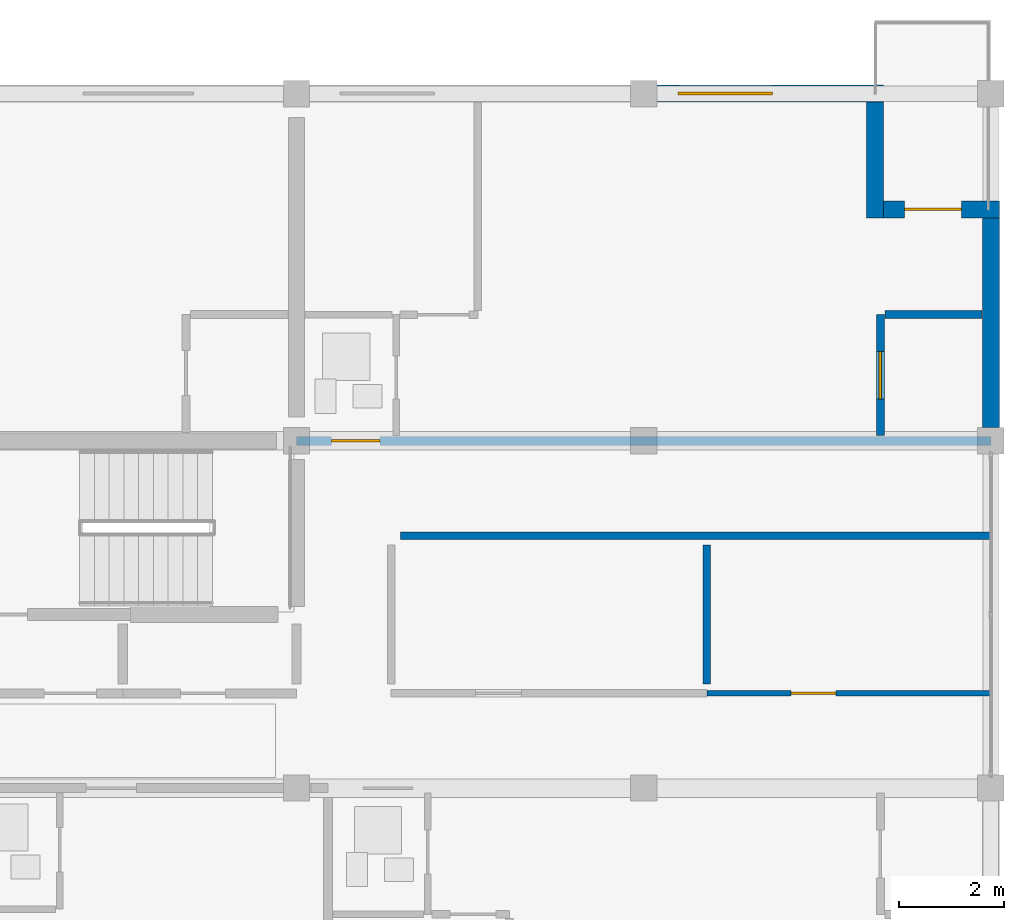
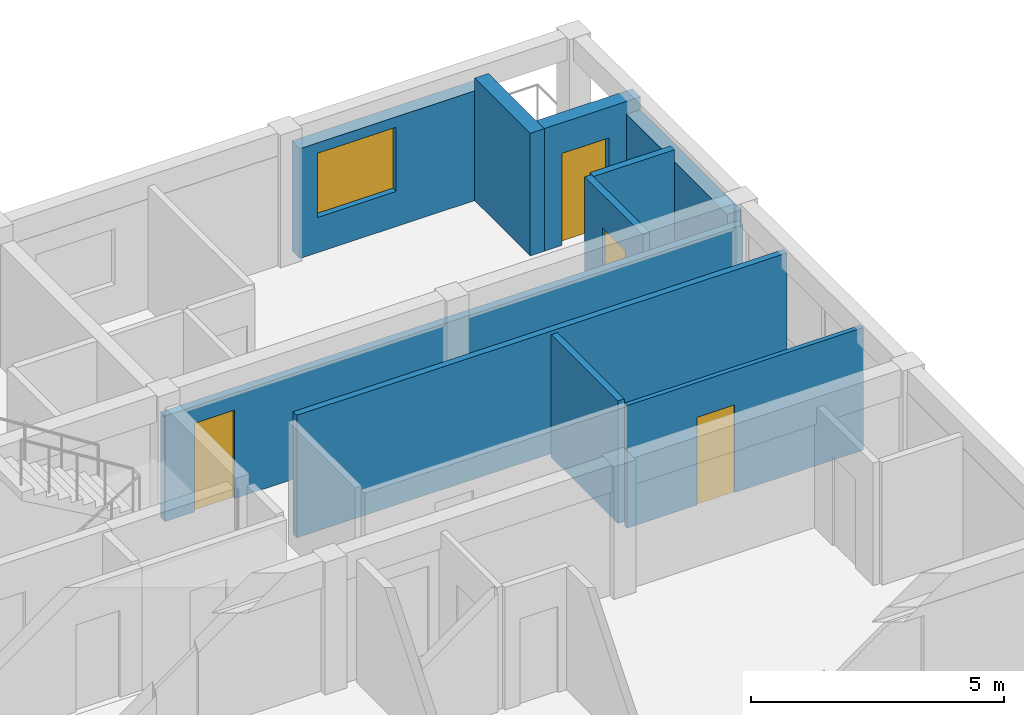
# One storey, part 41 of 53: 10 walls, 4 doors, 1 window, 5 openings.
"""IFC4 building model written with IfcOpenShell, lengths in metres."""

from ifc_helpers import new_model, si_unit, direction, frame, frame_2d, origin, place, context, subcontext, project, spatial, rectangle, extrude, material, layer, layer_set, type_object, element, fill, save


model = new_model("IFC4")

# Units and contexts
model_context = context("Model", 3, precision=1e-05, world=origin(), true_north=direction((0.0, 1.0)))
body_context = subcontext(model_context, "Body", "Model", "MODEL_VIEW")
ifc_project = project(units=[si_unit("LENGTHUNIT", "METRE"), si_unit("AREAUNIT", "SQUARE_METRE"), si_unit("VOLUMEUNIT", "CUBIC_METRE"), si_unit("PLANEANGLEUNIT", "RADIAN"), si_unit("MASSUNIT", "GRAM", prefix="KILO")], contexts=[model_context])

# Site, building, storey
site_placement = place(None, origin())
site = spatial("IfcSite", under=ifc_project, at=site_placement, CompositionType="ELEMENT")
building_placement = place(site_placement, origin())
building = spatial("IfcBuilding", under=site, at=building_placement, Name="Kernevlak Ridge Housing Community", CompositionType="ELEMENT")
storey_placement = place(building_placement, frame((0.0, 0.0, 18.0)))
storey = spatial("IfcBuildingStorey", under=building, at=storey_placement, Name="L05", CompositionType="ELEMENT", Elevation=18.0)

# Wall, opening, window
ifc_material_1 = material(Name="Concrete block masonry M10", Category="masonry")
ifc_layer_1 = layer(ifc_material_1, 0.320068359375, Name="Concrete block masonry M10")
ifc_layer_set_1 = layer_set([ifc_layer_1], Name="Concrete block masonry M10")
wall_type_1 = type_object("IfcWallType", Name="EW-02", PredefinedType="STANDARD", material=ifc_layer_set_1)
wall_1_placement = place(storey_placement, frame((146.050048828125, 102.39990234375, 0.0), z_axis=(0.0, 0.0, 1.0), x_axis=(1.0, 0.0, 0.0)))
wall_1 = element("IfcWall", 1, at=wall_1_placement, inside=storey, type_object=wall_type_1, Name="Exterior wall EW-02 L05 380", PredefinedType="STANDARD", context=body_context, shape_type="SweptSolid", body=[
    extrude(rectangle(XDim=4.31005859375, YDim=0.320068359375, at=frame_2d((2.155029296875, 0.0))), origin(), (0.0, 0.0, 1.0), 2.64990234375),
])
opening_1_placement = place(wall_1_placement, frame((0.39990234375, 0.0, 0.85009765625)))
opening_1 = element("IfcOpeningElement", 2, at=opening_1_placement, cuts=wall_1, Name="Opening WT-04", PredefinedType="OPENING", context=body_context, shape_type="SweptSolid", body=[
    extrude(rectangle(XDim=1.800048828125, YDim=1.550048828125, at=frame_2d((0.89990234375, 0.77490234375))), frame((0.0, 0.169921875, 0.0), z_axis=(0.0, -1.0, 0.0), x_axis=(1.0, 0.0, 0.0)), (0.0, 0.0, 1.0), 0.340087890625),
])
ifc_material_2 = material(Name="Aluminium EN AW-6060 anodised and laminated glass", Category="aluminium")
window_type = type_object("IfcWindowType", Name="WT-04", PartitioningType="SINGLE_PANEL", PredefinedType="WINDOW", material=ifc_material_2)
window_placement = place(opening_1_placement, origin())
window = element("IfcWindow", 3, at=window_placement, inside=storey, type_object=window_type, Name="Window WT-04 L05 295", OverallHeight=1.550048828125, OverallWidth=1.800048828125, PartitioningType="SINGLE_PANEL", PredefinedType="WINDOW", context=body_context, shape_type="SweptSolid", body=[
    extrude(rectangle(XDim=1.800048828125, YDim=1.550048828125, at=frame_2d((0.89990234375, 0.77490234375))), frame((0.0, 0.030029296875, 0.0), z_axis=(0.0, -1.0, 0.0), x_axis=(1.0, 0.0, 0.0)), (0.0, 0.0, 1.0), 0.06005859375),
])
fill(opening_1, window)

# Wall
wall_2_placement = place(storey_placement, frame((150.199951171875, 102.239990234375, 0.0), z_axis=(0.0, 0.0, 1.0), x_axis=(0.0, -1.0, 0.0)))
element("IfcWall", 4, at=wall_2_placement, inside=storey, type_object=wall_type_1, Name="Exterior wall EW-02 L05 381", PredefinedType="STANDARD", context=body_context, shape_type="SweptSolid", body=[
    extrude(rectangle(XDim=2.199951171875, YDim=0.320068359375, at=frame_2d((1.10009765625, 0.0))), origin(), (0.0, 0.0, 1.0), 2.9599609375),
])

# Wall, opening, door
wall_3_placement = place(storey_placement, frame((150.360107421875, 100.199951171875, 0.0), z_axis=(0.0, 0.0, 1.0), x_axis=(1.0, 0.0, 0.0)))
wall_3 = element("IfcWall", 5, at=wall_3_placement, inside=storey, type_object=wall_type_1, Name="Exterior wall EW-02 L05 382", PredefinedType="STANDARD", context=body_context, shape_type="SweptSolid", body=[
    extrude(rectangle(XDim=2.199951171875, YDim=0.320068359375, at=frame_2d((1.10009765625, 0.0))), origin(), (0.0, 0.0, 1.0), 2.9599609375),
])
opening_2_placement = place(wall_3_placement, frame((0.39990234375, 0.0, 0.0)))
opening_2 = element("IfcOpeningElement", 6, at=opening_2_placement, cuts=wall_3, Name="Opening D764", PredefinedType="OPENING", context=body_context, shape_type="SweptSolid", body=[
    extrude(rectangle(XDim=1.080078125, YDim=2.219970703125, at=frame_2d((0.5400390625, 1.10986328125))), frame((0.0, 0.169921875, 0.0), z_axis=(0.0, -1.0, 0.0), x_axis=(1.0, 0.0, 0.0)), (0.0, 0.0, 1.0), 0.340087890625),
])
ifc_material_3 = material(Name="Aluminium EN AW-6060 and laminated safety glass", Category="aluminium")
door_type_1 = type_object("IfcDoorType", Name="DT-34", OperationType="NOTDEFINED", PredefinedType="DOOR", material=ifc_material_3)
door_1_placement = place(opening_2_placement, origin())
door_1 = element("IfcDoor", 7, at=door_1_placement, inside=storey, type_object=door_type_1, Name="Flat B0523 corner balcony glazed door D764", OperationType="SINGLE_SWING_RIGHT", OverallHeight=2.219970703125, OverallWidth=1.080078125, PredefinedType="DOOR", context=body_context, shape_type="SweptSolid", body=[
    extrude(rectangle(XDim=1.080078125, YDim=2.219970703125, at=frame_2d((0.5400390625, 1.10986328125))), frame((0.0, 0.02490234375, 0.0), z_axis=(0.0, -1.0, 0.0), x_axis=(1.0, 0.0, 0.0)), (0.0, 0.0, 1.0), 0.050048828125),
])
fill(opening_2, door_1)

# Wall
wall_4_placement = place(storey_placement, frame((152.39990234375, 96.050048828125, 0.0), z_axis=(0.0, 0.0, 1.0), x_axis=(0.0, 1.0, 0.0)))
element("IfcWall", 8, at=wall_4_placement, inside=storey, type_object=wall_type_1, Name="Exterior wall EW-02 L05 386", PredefinedType="STANDARD", context=body_context, shape_type="SweptSolid", body=[
    extrude(rectangle(XDim=3.989990234375, YDim=0.320068359375, at=frame_2d((1.9951171875, 0.0))), origin(), (0.0, 0.0, 1.0), 2.64990234375),
])

# Wall, opening, door
ifc_layer_2 = layer(ifc_material_1, 0.175048828125, Name="Concrete block masonry M10")
ifc_layer_set_2 = layer_set([ifc_layer_2], Name="Concrete block masonry M10")
wall_type_2 = type_object("IfcWallType", Name="PW-02", PredefinedType="PARTITIONING", material=ifc_layer_set_2)
wall_5_placement = place(storey_placement, frame((139.199951171875, 95.800048828125, 0.0), z_axis=(0.0, 0.0, 1.0), x_axis=(1.0, 0.0, 0.0)))
wall_5 = element("IfcWall", 9, at=wall_5_placement, inside=storey, type_object=wall_type_2, Name="Interior wall PW-02 WAL-INT-L05-1502", PredefinedType="PARTITIONING", context=body_context, shape_type="SweptSolid", body=[
    extrude(rectangle(XDim=13.199951171875, YDim=0.175048828125, at=frame_2d((6.60009765625, 0.0))), origin(), (0.0, 0.0, 1.0), 2.550048828125),
])
opening_3_placement = place(wall_5_placement, frame((0.669921875, 0.0, 0.0)))
opening_3 = element("IfcOpeningElement", 10, at=opening_3_placement, cuts=wall_5, Name="Opening D760", PredefinedType="OPENING", context=body_context, shape_type="SweptSolid", body=[
    extrude(rectangle(XDim=0.919921875, YDim=2.139892578125, at=frame_2d((0.4599609375, 1.06982421875))), frame((0.0, 0.097412109375, 0.0), z_axis=(0.0, -1.0, 0.0), x_axis=(1.0, 0.0, 0.0)), (0.0, 0.0, 1.0), 0.195068359375),
])
ifc_material_4 = material(Name="Hardwood timber solid-core fire leaf", Category="wood")
door_type_2 = type_object("IfcDoorType", Name="DT-20", OperationType="NOTDEFINED", PredefinedType="DOOR", material=ifc_material_4)
door_2_placement = place(opening_3_placement, origin())
door_2 = element("IfcDoor", 11, at=door_2_placement, inside=storey, type_object=door_type_2, Name="Flat B0523 entrance fire door D760", OperationType="SINGLE_SWING_RIGHT", OverallHeight=2.139892578125, OverallWidth=0.919921875, PredefinedType="DOOR", context=body_context, shape_type="SweptSolid", body=[
    extrude(rectangle(XDim=0.919921875, YDim=2.139892578125, at=frame_2d((0.4599609375, 1.06982421875))), frame((0.0, 0.02490234375, 0.0), z_axis=(0.0, -1.0, 0.0), x_axis=(1.0, 0.0, 0.0)), (0.0, 0.0, 1.0), 0.050048828125),
])
fill(opening_3, door_2)

# Walls
ifc_layer_3 = layer(ifc_material_1, 0.14501953125, Name="Concrete block masonry M10")
ifc_layer_set_3 = layer_set([ifc_layer_3], Name="Concrete block masonry M10")
wall_type_3 = type_object("IfcWallType", Name="PW-03", PredefinedType="PARTITIONING", material=ifc_layer_set_3)
wall_6_placement = place(storey_placement, frame((147.0, 91.179931640625, 0.0), z_axis=(0.0, 0.0, 1.0), x_axis=(0.0, 1.0, 0.0)))
element("IfcWall", 12, at=wall_6_placement, inside=storey, type_object=wall_type_3, Name="Interior wall PW-03 WAL-INT-L05-1462", PredefinedType="PARTITIONING", context=body_context, shape_type="SweptSolid", body=[
    extrude(rectangle(XDim=2.64013671875, YDim=0.14501953125, at=frame_2d((1.320068359375, 0.0))), origin(), (0.0, 0.0, 1.0), 2.9599609375),
])
wall_7_placement = place(storey_placement, frame((141.179931640625, 94.0, 0.0), z_axis=(0.0, 0.0, 1.0), x_axis=(1.0, 0.0, 0.0)))
element("IfcWall", 13, at=wall_7_placement, inside=storey, type_object=wall_type_3, Name="Interior wall PW-03 WAL-INT-L05-1463", PredefinedType="PARTITIONING", context=body_context, shape_type="SweptSolid", body=[
    extrude(rectangle(XDim=11.199951171875, YDim=0.14501953125, at=frame_2d((5.60009765625, 0.0))), origin(), (0.0, 0.0, 1.0), 2.9599609375),
])

# Wall, opening, door
ifc_material_5 = material(Name="Gypsum plasterboard EN 520", Category="gypsum")
ifc_layer_4 = layer(ifc_material_5, 0.155029296875, Name="Gypsum plasterboard EN 520")
ifc_layer_set_4 = layer_set([ifc_layer_4], Name="Gypsum plasterboard EN 520")
wall_type_4 = type_object("IfcWallType", Name="PW-05", PredefinedType="PARTITIONING", material=ifc_layer_set_4)
wall_8_placement = place(storey_placement, frame((150.300048828125, 95.8974609375, 0.0), z_axis=(0.0, 0.0, 1.0), x_axis=(0.0, 1.0, 0.0)))
wall_8 = element("IfcWall", 14, at=wall_8_placement, inside=storey, type_object=wall_type_4, Name="Interior wall PW-05 WAL-INT-L05-1505", PredefinedType="PARTITIONING", context=body_context, shape_type="SweptSolid", body=[
    extrude(rectangle(XDim=2.302490234375, YDim=0.155029296875, at=frame_2d((1.1513671875, 0.0))), origin(), (0.0, 0.0, 1.0), 2.9599609375),
])
opening_4_placement = place(wall_8_placement, frame((0.699951171875, 0.0, 0.0)))
opening_4 = element("IfcOpeningElement", 15, at=opening_4_placement, cuts=wall_8, Name="Opening D762", PredefinedType="OPENING", context=body_context, shape_type="SweptSolid", body=[
    extrude(rectangle(XDim=0.89990234375, YDim=2.159912109375, at=frame_2d((0.449951171875, 1.080078125))), frame((0.0, 0.08740234375, 0.0), z_axis=(0.0, -1.0, 0.0), x_axis=(1.0, 0.0, 0.0)), (0.0, 0.0, 1.0), 0.175048828125),
])
ifc_material_6 = material(Name="Hardwood timber leaf", Category="wood")
door_type_3 = type_object("IfcDoorType", Name="DT-22", OperationType="NOTDEFINED", PredefinedType="DOOR", material=ifc_material_6)
door_3_placement = place(opening_4_placement, origin())
door_3 = element("IfcDoor", 16, at=door_3_placement, inside=storey, type_object=door_type_3, Name="Flat B0523 kitchen door D762", OperationType="SINGLE_SWING_RIGHT", OverallHeight=2.159912109375, OverallWidth=0.89990234375, PredefinedType="DOOR", context=body_context, shape_type="SweptSolid", body=[
    extrude(rectangle(XDim=0.89990234375, YDim=2.159912109375, at=frame_2d((0.449951171875, 1.080078125))), frame((0.0, 0.02490234375, 0.0), z_axis=(0.0, -1.0, 0.0), x_axis=(1.0, 0.0, 0.0)), (0.0, 0.0, 1.0), 0.050048828125),
])
fill(opening_4, door_3)

# Wall
wall_9_placement = place(storey_placement, frame((150.387451171875, 98.199951171875, 0.0), z_axis=(0.0, 0.0, 1.0), x_axis=(1.0, 0.0, 0.0)))
element("IfcWall", 17, at=wall_9_placement, inside=storey, type_object=wall_type_4, Name="Interior wall PW-05 WAL-INT-L05-1506", PredefinedType="PARTITIONING", context=body_context, shape_type="SweptSolid", body=[
    extrude(rectangle(XDim=1.842529296875, YDim=0.155029296875, at=frame_2d((0.92138671875, 0.0))), origin(), (0.0, 0.0, 1.0), 2.9599609375),
])

# Wall, opening, door
ifc_layer_5 = layer(ifc_material_5, 0.10498046875, Name="Gypsum plasterboard EN 520")
ifc_layer_set_5 = layer_set([ifc_layer_5], Name="Gypsum plasterboard EN 520")
wall_type_5 = type_object("IfcWallType", Name="PW-06", PredefinedType="PARTITIONING", material=ifc_layer_set_5)
wall_10_placement = place(storey_placement, frame((147.0, 91.0, 0.0), z_axis=(0.0, 0.0, 1.0), x_axis=(1.0, 0.0, 0.0)))
wall_10 = element("IfcWall", 18, at=wall_10_placement, inside=storey, type_object=wall_type_5, Name="Interior wall PW-06 WAL-INT-L05-1461", PredefinedType="PARTITIONING", context=body_context, shape_type="SweptSolid", body=[
    extrude(rectangle(XDim=5.39990234375, YDim=0.10498046875, at=frame_2d((2.699951171875, 0.0))), origin(), (0.0, 0.0, 1.0), 2.9599609375),
])
opening_5_placement = place(wall_10_placement, frame((1.60009765625, 0.0, 0.0)))
opening_5 = element("IfcOpeningElement", 19, at=opening_5_placement, cuts=wall_10, Name="Opening D739", PredefinedType="OPENING", context=body_context, shape_type="SweptSolid", body=[
    extrude(rectangle(XDim=0.860107421875, YDim=2.1201171875, at=frame_2d((0.43017578125, 1.06005859375))), frame((0.0, 0.0625, 0.0), z_axis=(0.0, -1.0, 0.0), x_axis=(1.0, 0.0, 0.0)), (0.0, 0.0, 1.0), 0.125),
])
door_type_4 = type_object("IfcDoorType", Name="DT-28", OperationType="NOTDEFINED", PredefinedType="DOOR", material=ifc_material_6)
door_4_placement = place(opening_5_placement, origin())
door_4 = element("IfcDoor", 20, at=door_4_placement, inside=storey, type_object=door_type_4, Name="Block B Study room door D739", OperationType="SINGLE_SWING_LEFT", OverallHeight=2.1201171875, OverallWidth=0.860107421875, PredefinedType="DOOR", context=body_context, shape_type="SweptSolid", body=[
    extrude(rectangle(XDim=0.860107421875, YDim=2.1201171875, at=frame_2d((0.43017578125, 1.06005859375))), frame((0.0, 0.02490234375, 0.0), z_axis=(0.0, -1.0, 0.0), x_axis=(1.0, 0.0, 0.0)), (0.0, 0.0, 1.0), 0.050048828125),
])
fill(opening_5, door_4)

save(model, "model.ifc")
